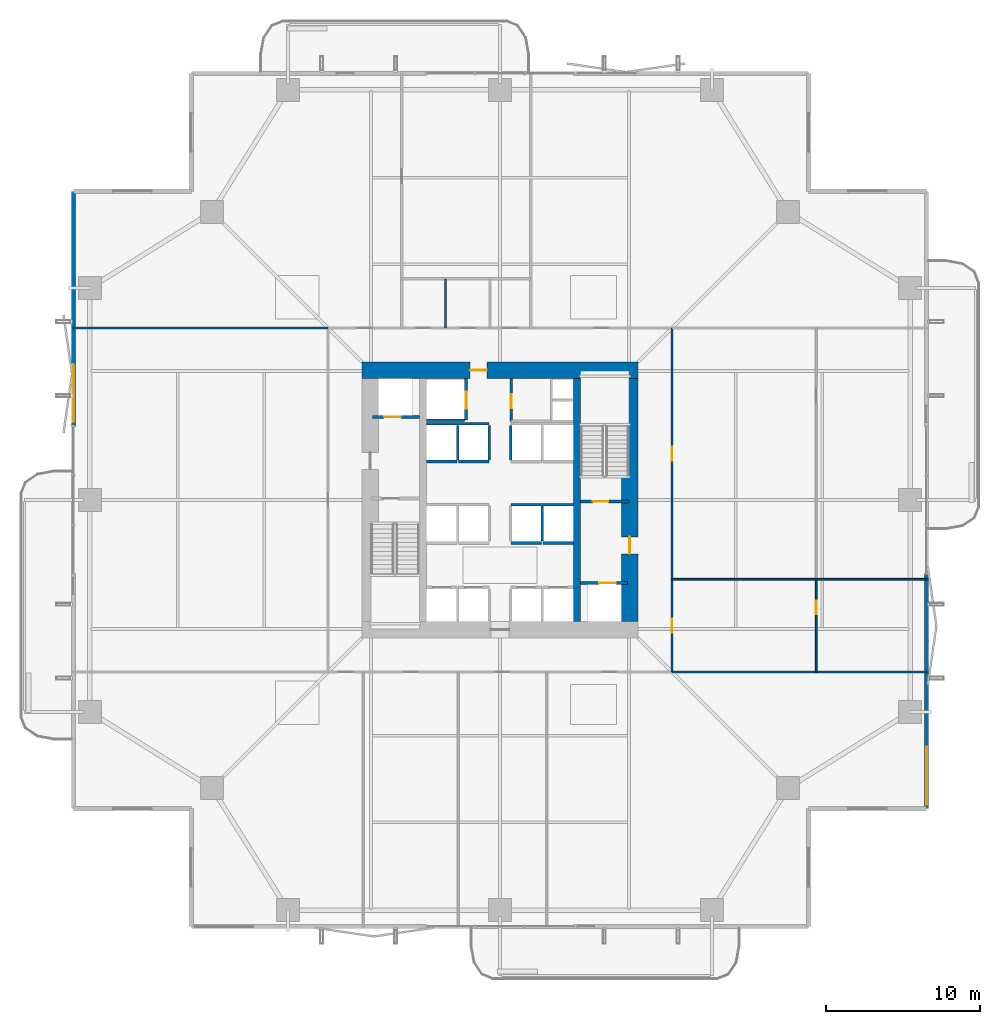
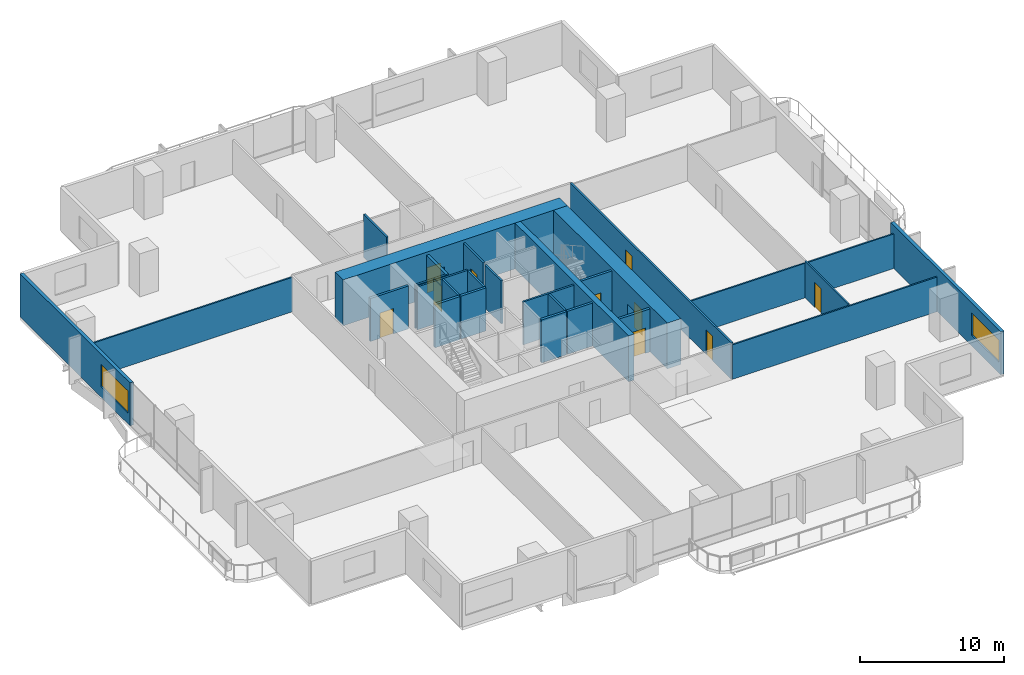
# One storey, part 18 of 24: 27 walls, 10 doors, 2 windows, 12 openings.
"""IFC4 building model written with IfcOpenShell, lengths in metres."""

from ifc_helpers import new_model, si_unit, direction, frame, frame_2d, origin, place, context, subcontext, project, spatial, rectangle, extrude, material, layer, layer_set, type_object, element, fill, save


model = new_model("IFC4")

# Units and contexts
model_context = context("Model", 3, precision=1e-05, world=origin(), true_north=direction((0.0, 1.0)))
body_context = subcontext(model_context, "Body", "Model", "MODEL_VIEW")
ifc_project = project(units=[si_unit("LENGTHUNIT", "METRE"), si_unit("AREAUNIT", "SQUARE_METRE"), si_unit("VOLUMEUNIT", "CUBIC_METRE"), si_unit("PLANEANGLEUNIT", "RADIAN"), si_unit("MASSUNIT", "GRAM", prefix="KILO")], contexts=[model_context])

# Site, building, storey
site_placement = place(None, origin())
site = spatial("IfcSite", under=ifc_project, at=site_placement, CompositionType="ELEMENT")
building_placement = place(site_placement, origin())
building = spatial("IfcBuilding", under=site, at=building_placement, Name="Belovzor Exchange Tower", CompositionType="ELEMENT")
storey_placement = place(building_placement, frame((0.0, 0.0, 96.300048828125)))
storey = spatial("IfcBuildingStorey", under=building, at=storey_placement, Name="L23", CompositionType="ELEMENT", Elevation=96.300048828125)

# Walls
ifc_material_1 = material(Name="Acoustic Plasterboard on Galvanised Studs", Category="gypsum")
ifc_layer_1 = layer(ifc_material_1, 0.1201171875)
ifc_layer_set_1 = layer_set([ifc_layer_1], Name="Acoustic Plasterboard on Galvanised Studs")
wall_type_1 = type_object("IfcWallType", Name="Acoustic Double-Stud Partition Wall 120", PredefinedType="PARTITIONING", material=ifc_layer_set_1)
for number, where, z_axis, x_axis, name in (
    (1, (40.0, 17.60009765625, 0.0), (0.0, 0.0, 1.0), (1.0, 0.0, 0.0), "W-P120 Partition Wall W-L23-END-SE"),
    (2, (1.030029296875, 40.0, 0.0), (0.0, 0.0, 1.0), (1.0, 0.0, 0.0), "W-P120 Partition Wall W-L23-END-NW"),
):
    element("IfcWall", number, at=place(storey_placement, frame(where, z_axis=z_axis, x_axis=x_axis)), inside=storey, type_object=wall_type_1, Name=name, PredefinedType="PARTITIONING", context=body_context, shape_type="SweptSolid", body=[
        extrude(rectangle(XDim=16.570068359375, YDim=0.1201171875, at=frame_2d((8.28515625, 0.0))), origin(), (0.0, 0.0, 1.0), 2.93505859375),
    ])

# Wall, opening, door
wall_1_placement = place(storey_placement, frame((49.387939453125, 17.60009765625, 0.0), z_axis=(0.0, 0.0, 1.0), x_axis=(0.0, 1.0, 0.0)))
wall_1 = element("IfcWall", 3, at=wall_1_placement, inside=storey, type_object=wall_type_1, Name="W-P120 Partition Wall W-L23-EHDIV-0", PredefinedType="PARTITIONING", context=body_context, shape_type="SweptSolid", body=[
    extrude(rectangle(XDim=6.037841796875, YDim=0.1201171875, at=frame_2d((3.01904296875, 0.0))), origin(), (0.0, 0.0, 1.0), 3.0849609375),
])
opening_1_placement = place(wall_1_placement, frame((3.7529296875, 0.0, 0.0)))
opening_1 = element("IfcOpeningElement", 4, at=opening_1_placement, cuts=wall_1, Name="Opening D-INT-090", PredefinedType="OPENING", context=body_context, shape_type="SweptSolid", body=[
    extrude(rectangle(XDim=0.89990234375, YDim=2.10009765625, at=frame_2d((0.449951171875, 1.050048828125))), frame((0.0, 0.070068359375, 0.0), z_axis=(0.0, -1.0, 0.0), x_axis=(1.0, 0.0, 0.0)), (0.0, 0.0, 1.0), 0.14013671875),
])
ifc_material_2 = material(Name="Veneered Hardwood Acoustic Leaf", Category="wood")
door_type_1 = type_object("IfcDoorType", Name="Trading Suite Acoustic Single Door 900x2100", OperationType="NOTDEFINED", PredefinedType="DOOR", material=ifc_material_2)
door_1_placement = place(opening_1_placement, origin())
door_1 = element("IfcDoor", 5, at=door_1_placement, inside=storey, type_object=door_type_1, Name="D-INT-090 Trading Suite Acoustic Single Door 900x2100", OperationType="SINGLE_SWING_RIGHT", OverallHeight=2.10009765625, OverallWidth=0.89990234375, PredefinedType="DOOR", context=body_context, shape_type="SweptSolid", body=[
    extrude(rectangle(XDim=0.89990234375, YDim=2.10009765625, at=frame_2d((0.449951171875, 1.050048828125))), frame((0.0, 0.02490234375, 0.0), z_axis=(0.0, -1.0, 0.0), x_axis=(1.0, 0.0, 0.0)), (0.0, 0.0, 1.0), 0.050048828125),
])
fill(opening_1, door_1)

# Wall
wall_2_placement = place(storey_placement, frame((40.0, 23.637939453125, 0.0), z_axis=(0.0, 0.0, 1.0), x_axis=(1.0, 0.0, 0.0)))
element("IfcWall", 6, at=wall_2_placement, inside=storey, type_object=wall_type_1, Name="W-P120 Partition Wall W-L23-EDIV-1", PredefinedType="PARTITIONING", context=body_context, shape_type="SweptSolid", body=[
    extrude(rectangle(XDim=16.570068359375, YDim=0.1201171875, at=frame_2d((8.28515625, 0.0))), origin(), (0.0, 0.0, 1.0), 2.93505859375),
])

# Wall, opening, door
ifc_material_3 = material(Name="Fire-Rated Gypsum Block and Mineral Wool", Category="gypsum")
ifc_layer_2 = layer(ifc_material_3, 0.14990234375)
ifc_layer_set_2 = layer_set([ifc_layer_2], Name="Fire-Rated Gypsum Block and Mineral Wool")
wall_type_2 = type_object("IfcWallType", Name="Fire-Rated Gypsum Block Corridor Wall 150", PredefinedType="PARTITIONING", material=ifc_layer_set_2)
wall_3_placement = place(storey_placement, frame((29.52490234375, 33.925048828125, 0.0), z_axis=(0.0, 0.0, 1.0), x_axis=(0.0, 1.0, 0.0)))
wall_3 = element("IfcWall", 7, at=wall_3_placement, inside=storey, type_object=wall_type_2, Name="W-P150 Partition Wall W-CRV-L23-W", PredefinedType="PARTITIONING", context=body_context, shape_type="SweptSolid", body=[
    extrude(rectangle(XDim=2.77490234375, YDim=0.14990234375, at=frame_2d((1.387451171875, 0.0))), origin(), (0.0, 0.0, 1.0), 3.64990234375),
])
opening_2_placement = place(wall_3_placement, frame((0.85009765625, 0.0, 0.0)))
opening_2 = element("IfcOpeningElement", 8, at=opening_2_placement, cuts=wall_3, Name="Opening D-FD60-090", PredefinedType="OPENING", context=body_context, shape_type="SweptSolid", body=[
    extrude(rectangle(XDim=0.89990234375, YDim=2.10009765625, at=frame_2d((0.449951171875, 1.050048828125))), frame((0.0, 0.0849609375, 0.0), z_axis=(0.0, -1.0, 0.0), x_axis=(1.0, 0.0, 0.0)), (0.0, 0.0, 1.0), 0.169921875),
])
ifc_material_4 = material(Name="Acoustic Timber Fire Leaf", Category="wood")
door_type_2 = type_object("IfcDoorType", Name="Core Service & Restroom Fire Door 900x2100", OperationType="NOTDEFINED", PredefinedType="DOOR", material=ifc_material_4)
door_2_placement = place(opening_2_placement, origin())
door_2 = element("IfcDoor", 9, at=door_2_placement, inside=storey, type_object=door_type_2, Name="D-FD60-090 Core Service & Restroom Fire Door 900x2100", OperationType="SINGLE_SWING_LEFT", OverallHeight=2.10009765625, OverallWidth=0.89990234375, PredefinedType="DOOR", context=body_context, shape_type="SweptSolid", body=[
    extrude(rectangle(XDim=0.89990234375, YDim=2.10009765625, at=frame_2d((0.449951171875, 1.050048828125))), frame((0.0, 0.02490234375, 0.0), z_axis=(0.0, -1.0, 0.0), x_axis=(1.0, 0.0, 0.0)), (0.0, 0.0, 1.0), 0.050048828125),
])
fill(opening_2, door_2)

# Wall
wall_4_placement = place(storey_placement, frame((25.25, 40.0, 0.0), z_axis=(0.0, 0.0, 1.0), x_axis=(0.0, 1.0, 0.0)))
element("IfcWall", 10, at=wall_4_placement, inside=storey, type_object=wall_type_2, Name="W-P150 Partition Wall W-L23-WCD1", PredefinedType="PARTITIONING", context=body_context, shape_type="SweptSolid", body=[
    extrude(rectangle(XDim=3.199951171875, YDim=0.14990234375, at=frame_2d((1.60009765625, 0.0))), origin(), (0.0, 0.0, 1.0), 3.64990234375),
])

# Wall, openings, doors
wall_5_placement = place(storey_placement, frame((40.0, 17.60009765625, 0.0), z_axis=(0.0, 0.0, 1.0), x_axis=(0.0, 1.0, 0.0)))
wall_5 = element("IfcWall", 11, at=wall_5_placement, inside=storey, type_object=wall_type_2, Name="W-P150 Partition Wall W-L23-CE", PredefinedType="PARTITIONING", context=body_context, shape_type="SweptSolid", body=[
    extrude(rectangle(XDim=22.39990234375, YDim=0.14990234375, at=frame_2d((11.199951171875, 0.0))), origin(), (0.0, 0.0, 1.0), 3.0849609375),
])
opening_3_placement = place(wall_5_placement, frame((2.569091796875, 0.0, 0.0)))
opening_3 = element("IfcOpeningElement", 12, at=opening_3_placement, cuts=wall_5, Name="Opening D-INT-090", PredefinedType="OPENING", context=body_context, shape_type="SweptSolid", body=[
    extrude(rectangle(XDim=0.89990234375, YDim=2.10009765625, at=frame_2d((0.449951171875, 1.050048828125))), frame((0.0, 0.0849609375, 0.0), z_axis=(0.0, -1.0, 0.0), x_axis=(1.0, 0.0, 0.0)), (0.0, 0.0, 1.0), 0.169921875),
])
opening_4_placement = place(wall_5_placement, frame((13.76904296875, 0.0, 0.0)))
opening_4 = element("IfcOpeningElement", 13, at=opening_4_placement, cuts=wall_5, Name="Opening D-INT-090", PredefinedType="OPENING", context=body_context, shape_type="SweptSolid", body=[
    extrude(rectangle(XDim=0.89990234375, YDim=2.10009765625, at=frame_2d((0.449951171875, 1.050048828125))), frame((0.0, 0.0849609375, 0.0), z_axis=(0.0, -1.0, 0.0), x_axis=(1.0, 0.0, 0.0)), (0.0, 0.0, 1.0), 0.169921875),
])
door_3_placement = place(opening_3_placement, origin())
door_3 = element("IfcDoor", 14, at=door_3_placement, inside=storey, type_object=door_type_1, Name="D-INT-090 Trading Suite Acoustic Single Door 900x2100", OperationType="SINGLE_SWING_LEFT", OverallHeight=2.10009765625, OverallWidth=0.89990234375, PredefinedType="DOOR", context=body_context, shape_type="SweptSolid", body=[
    extrude(rectangle(XDim=0.89990234375, YDim=2.10009765625, at=frame_2d((0.449951171875, 1.050048828125))), frame((0.0, 0.02490234375, 0.0), z_axis=(0.0, -1.0, 0.0), x_axis=(1.0, 0.0, 0.0)), (0.0, 0.0, 1.0), 0.050048828125),
])
fill(opening_3, door_3)
door_4_placement = place(opening_4_placement, origin())
door_4 = element("IfcDoor", 15, at=door_4_placement, inside=storey, type_object=door_type_1, Name="D-INT-090 Trading Suite Acoustic Single Door 900x2100", OperationType="SINGLE_SWING_RIGHT", OverallHeight=2.10009765625, OverallWidth=0.89990234375, PredefinedType="DOOR", context=body_context, shape_type="SweptSolid", body=[
    extrude(rectangle(XDim=0.89990234375, YDim=2.10009765625, at=frame_2d((0.449951171875, 1.050048828125))), frame((0.0, 0.02490234375, 0.0), z_axis=(0.0, -1.0, 0.0), x_axis=(1.0, 0.0, 0.0)), (0.0, 0.0, 1.0), 0.050048828125),
])
fill(opening_4, door_4)

# Wall, opening, window
ifc_material_5 = material(Name="Precast concrete C40/50", Category="concrete")
ifc_layer_3 = layer(ifc_material_5, 0.260009765625)
ifc_layer_set_3 = layer_set([ifc_layer_3], Name="Precast concrete C40/50")
wall_type_3 = type_object("IfcWallType", Name="Precast Concrete Perimeter Loggia Frame Wall 260", PredefinedType="SOLIDWALL", material=ifc_layer_set_3)
wall_6_placement = place(storey_placement, frame((1.030029296875, 33.60009765625, 0.0), z_axis=(0.0, 0.0, 1.0), x_axis=(0.0, 1.0, 0.0)))
wall_6 = element("IfcWall", 16, at=wall_6_placement, inside=storey, type_object=wall_type_3, Name="W-EXT260 Precast Concrete Perimeter Loggia Frame Wall 260 L23", PredefinedType="SOLIDWALL", context=body_context, shape_type="SweptSolid", body=[
    extrude(rectangle(XDim=15.2998046875, YDim=0.260009765625, at=frame_2d((7.64990234375, 0.0))), origin(), (0.0, 0.0, 1.0), 3.64990234375),
])
opening_5_placement = place(wall_6_placement, frame((0.25, 0.0, 0.89990234375)))
opening_5 = element("IfcOpeningElement", 17, at=opening_5_placement, cuts=wall_6, Name="Opening WN-RIB380", PredefinedType="OPENING", context=body_context, shape_type="SweptSolid", body=[
    extrude(rectangle(XDim=3.800048828125, YDim=1.89990234375, at=frame_2d((1.89990234375, 0.949951171875))), frame((0.0, 0.139892578125, 0.0), z_axis=(0.0, -1.0, 0.0), x_axis=(1.0, 0.0, 0.0)), (0.0, 0.0, 1.0), 0.280029296875),
])
ifc_material_6 = material(Name="Thermally Broken Aluminium and Triple Glazing", Category="aluminium")
window_type = type_object("IfcWindowType", Name="Streamline Moderne Horizontal Ribbon Window 3800x1900", PartitioningType="SINGLE_PANEL", PredefinedType="WINDOW", material=ifc_material_6)
window_1_placement = place(opening_5_placement, origin())
window_1 = element("IfcWindow", 18, at=window_1_placement, inside=storey, type_object=window_type, Name="WN-RIB380 Streamline Moderne Horizontal Ribbon Window 3800x1900", OverallHeight=1.89990234375, OverallWidth=3.800048828125, PartitioningType="SINGLE_PANEL", PredefinedType="WINDOW", context=body_context, shape_type="SweptSolid", body=[
    extrude(rectangle(XDim=3.800048828125, YDim=1.89990234375, at=frame_2d((1.89990234375, 0.949951171875))), frame((0.0, 0.030029296875, 0.0), z_axis=(0.0, -1.0, 0.0), x_axis=(1.0, 0.0, 0.0)), (0.0, 0.0, 1.0), 0.06005859375),
])
fill(opening_5, window_1)

wall_7_placement = place(storey_placement, frame((56.570068359375, 24.0, 0.0), z_axis=(0.0, 0.0, 1.0), x_axis=(0.0, -1.0, 0.0)))
wall_7 = element("IfcWall", 19, at=wall_7_placement, inside=storey, type_object=wall_type_3, Name="W-EXT260 Precast Concrete Perimeter Loggia Frame Wall 260 L23", PredefinedType="SOLIDWALL", context=body_context, shape_type="SweptSolid", body=[
    extrude(rectangle(XDim=15.300048828125, YDim=0.260009765625, at=frame_2d((7.64990234375, 0.0))), origin(), (0.0, 0.0, 1.0), 3.64990234375),
])
opening_6_placement = place(wall_7_placement, frame((11.25, 0.0, 0.89990234375)))
opening_6 = element("IfcOpeningElement", 20, at=opening_6_placement, cuts=wall_7, Name="Opening WN-RIB380", PredefinedType="OPENING", context=body_context, shape_type="SweptSolid", body=[
    extrude(rectangle(XDim=3.800048828125, YDim=1.89990234375, at=frame_2d((1.89990234375, 0.949951171875))), frame((0.0, 0.139892578125, 0.0), z_axis=(0.0, -1.0, 0.0), x_axis=(1.0, 0.0, 0.0)), (0.0, 0.0, 1.0), 0.280029296875),
])
window_2_placement = place(opening_6_placement, origin())
window_2 = element("IfcWindow", 21, at=window_2_placement, inside=storey, type_object=window_type, Name="WN-RIB380 Streamline Moderne Horizontal Ribbon Window 3800x1900", OverallHeight=1.89990234375, OverallWidth=3.800048828125, PartitioningType="SINGLE_PANEL", PredefinedType="WINDOW", context=body_context, shape_type="SweptSolid", body=[
    extrude(rectangle(XDim=3.800048828125, YDim=1.89990234375, at=frame_2d((1.89990234375, 0.949951171875))), frame((0.0, 0.030029296875, 0.0), z_axis=(0.0, -1.0, 0.0), x_axis=(1.0, 0.0, 0.0)), (0.0, 0.0, 1.0), 0.06005859375),
])
fill(opening_6, window_2)

# Walls
ifc_material_7 = material(Name="Concrete C50/60", Category="concrete")
ifc_layer_4 = layer(ifc_material_7, 0.449951171875)
ifc_layer_set_4 = layer_set([ifc_layer_4], Name="Concrete C50/60")
wall_type_4 = type_object("IfcWallType", Name="Reinforced Concrete Core Internal Web Wall 450", PredefinedType="SHEAR", material=ifc_layer_set_4)
wall_8_placement = place(storey_placement, frame((33.824951171875, 20.89990234375, 0.0), z_axis=(0.0, 0.0, 1.0), x_axis=(0.0, 1.0, 0.0)))
element("IfcWall", 22, at=wall_8_placement, inside=storey, type_object=wall_type_4, Name="CW-W045 Core Internal Web Wall L23 ER", PredefinedType="SHEAR", context=body_context, shape_type="SweptSolid", body=[
    extrude(rectangle(XDim=15.800048828125, YDim=0.449951171875, at=frame_2d((7.89990234375, 0.0))), origin(), (0.0, 0.0, 1.0), 3.89990234375),
])
ifc_material_8 = material(Name="Concrete C50/60", Category="concrete")
ifc_layer_5 = layer(ifc_material_8, 0.14990234375)
ifc_layer_set_5 = layer_set([ifc_layer_5], Name="Concrete C50/60")
wall_type_5 = type_object("IfcWallType", Name="Reinforced Concrete Core Riser Shear Wall 150", PredefinedType="SHEAR", material=ifc_layer_set_5)
wall_9_placement = place(storey_placement, frame((24.0, 34.0, 0.0), z_axis=(0.0, 0.0, 1.0), x_axis=(1.0, 0.0, 0.0)))
element("IfcWall", 23, at=wall_9_placement, inside=storey, type_object=wall_type_5, Name="W-C150S Core Shaft Wall W-SH-L23-SL-01S", PredefinedType="SHEAR", context=body_context, shape_type="SweptSolid", body=[
    extrude(rectangle(XDim=2.47998046875, YDim=0.14990234375, at=frame_2d((1.239990234375, 0.0))), origin(), (0.0, 0.0, 1.0), 3.64990234375),
])
wall_10_placement = place(storey_placement, frame((29.5, 28.5, 0.0), z_axis=(0.0, 0.0, 1.0), x_axis=(1.0, 0.0, 0.0)))
element("IfcWall", 24, at=wall_10_placement, inside=storey, type_object=wall_type_5, Name="W-C150S Core Shaft Wall W-SHB-L23-PLM-NE", PredefinedType="SHEAR", context=body_context, shape_type="SweptSolid", body=[
    extrude(rectangle(XDim=4.080078125, YDim=0.14990234375, at=frame_2d((2.0400390625, 0.0))), origin(), (0.0, 0.0, 1.0), 3.64990234375),
])
wall_11_placement = place(storey_placement, frame((31.550048828125, 26.1201171875, 0.0), z_axis=(0.0, 0.0, 1.0), x_axis=(0.0, 1.0, 0.0)))
element("IfcWall", 25, at=wall_11_placement, inside=storey, type_object=wall_type_5, Name="W-C150S Core Shaft Wall W-SHD-L23-PLM-4", PredefinedType="SHEAR", context=body_context, shape_type="SweptSolid", body=[
    extrude(rectangle(XDim=2.27978515625, YDim=0.14990234375, at=frame_2d((1.139892578125, 0.0))), origin(), (0.0, 0.0, 1.0), 3.64990234375),
])
wall_12_placement = place(storey_placement, frame((24.02001953125, 33.760009765625, 0.0), z_axis=(0.0, 0.0, 1.0), x_axis=(1.0, 0.0, 0.0)))
element("IfcWall", 26, at=wall_12_placement, inside=storey, type_object=wall_type_5, Name="W-C150S Core Shaft Wall W-SHB-L23-PLH-NW", PredefinedType="SHEAR", context=body_context, shape_type="SweptSolid", body=[
    extrude(rectangle(XDim=4.080078125, YDim=0.14990234375, at=frame_2d((2.0400390625, 0.0))), origin(), (0.0, 0.0, 1.0), 3.64990234375),
])
for number, where, z_axis, x_axis, name in (
    (27, (26.050048828125, 31.419921875, 0.0), (0.0, 0.0, 1.0), (0.0, 1.0, 0.0), "W-C150S Core Shaft Wall W-SHD-L23-PLH-1"),
    (28, (28.10009765625, 31.419921875, 0.0), (0.0, 0.0, 1.0), (0.0, 1.0, 0.0), "W-C150S Core Shaft Wall W-SHD-L23-PLH-2"),
    (29, (29.5, 31.419921875, 0.0), (0.0, 0.0, 1.0), (0.0, 1.0, 0.0), "W-C150S Core Shaft Wall W-SHD-L23-PLH-3"),
):
    element("IfcWall", number, at=place(storey_placement, frame(where, z_axis=z_axis, x_axis=x_axis)), inside=storey, type_object=wall_type_5, Name=name, PredefinedType="SHEAR", context=body_context, shape_type="SweptSolid", body=[
        extrude(rectangle(XDim=2.239990234375, YDim=0.14990234375, at=frame_2d((1.1201171875, 0.0))), origin(), (0.0, 0.0, 1.0), 3.64990234375),
    ])

# Wall, opening, door
ifc_material_9 = material(Name="Concrete C50/60", Category="concrete")
ifc_layer_6 = layer(ifc_material_9, 0.199951171875)
ifc_layer_set_6 = layer_set([ifc_layer_6], Name="Concrete C50/60")
wall_type_6 = type_object("IfcWallType", Name="Reinforced Concrete Core Shaft Shear Wall 200", PredefinedType="SHEAR", material=ifc_layer_set_6)
wall_13_placement = place(storey_placement, frame((34.050048828125, 28.699951171875, 0.0), z_axis=(0.0, 0.0, 1.0), x_axis=(1.0, 0.0, 0.0)))
wall_13 = element("IfcWall", 30, at=wall_13_placement, inside=storey, type_object=wall_type_6, Name="W-C200S Core Shaft Wall W-CORE-L23-FFLE2", PredefinedType="SHEAR", context=body_context, shape_type="SweptSolid", body=[
    extrude(rectangle(XDim=3.14990234375, YDim=0.199951171875, at=frame_2d((1.574951171875, 0.0))), origin(), (0.0, 0.0, 1.0), 3.64990234375),
])
opening_7_placement = place(wall_13_placement, frame((0.800048828125, 0.0, 0.0)))
opening_7 = element("IfcOpeningElement", 31, at=opening_7_placement, cuts=wall_13, Name="Opening D-FD90-100", PredefinedType="OPENING", context=body_context, shape_type="SweptSolid", body=[
    extrude(rectangle(XDim=1.0, YDim=2.10009765625, at=frame_2d((0.5, 1.050048828125))), frame((0.0, 0.10986328125, 0.0), z_axis=(0.0, -1.0, 0.0), x_axis=(1.0, 0.0, 0.0)), (0.0, 0.0, 1.0), 0.219970703125),
])
ifc_material_10 = material(Name="Fire-Rated Galvanised Steel Leaf", Category="steel")
door_type_3 = type_object("IfcDoorType", Name="Protected Stairwell Single Fire Door 1000x2100", OperationType="NOTDEFINED", PredefinedType="DOOR", material=ifc_material_10)
door_5_placement = place(opening_7_placement, origin())
door_5 = element("IfcDoor", 32, at=door_5_placement, inside=storey, type_object=door_type_3, Name="D-FD90-100 Protected Stairwell Single Fire Door 1000x2100", OperationType="SINGLE_SWING_LEFT", OverallHeight=2.10009765625, OverallWidth=1.0, PredefinedType="DOOR", context=body_context, shape_type="SweptSolid", body=[
    extrude(rectangle(XDim=1.0, YDim=2.10009765625, at=frame_2d((0.5, 1.050048828125))), frame((0.0, 0.02490234375, 0.0), z_axis=(0.0, -1.0, 0.0), x_axis=(1.0, 0.0, 0.0)), (0.0, 0.0, 1.0), 0.050048828125),
])
fill(opening_7, door_5)

wall_14_placement = place(storey_placement, frame((20.5, 34.199951171875, 0.0), z_axis=(0.0, 0.0, 1.0), x_axis=(1.0, 0.0, 0.0)))
wall_14 = element("IfcWall", 33, at=wall_14_placement, inside=storey, type_object=wall_type_6, Name="W-C200S Core Shaft Wall W-SH-L23-FFL-01", PredefinedType="SHEAR", context=body_context, shape_type="SweptSolid", body=[
    extrude(rectangle(XDim=3.050048828125, YDim=0.199951171875, at=frame_2d((1.52490234375, 0.0))), origin(), (0.0, 0.0, 1.0), 3.64990234375),
])
opening_8_placement = place(wall_14_placement, frame((0.75, 0.0, 0.0)))
opening_8 = element("IfcOpeningElement", 34, at=opening_8_placement, cuts=wall_14, Name="Opening LD-110", PredefinedType="OPENING", context=body_context, shape_type="SweptSolid", body=[
    extrude(rectangle(XDim=1.10009765625, YDim=2.14990234375, at=frame_2d((0.550048828125, 1.074951171875))), frame((0.0, 0.10986328125, 0.0), z_axis=(0.0, -1.0, 0.0), x_axis=(1.0, 0.0, 0.0)), (0.0, 0.0, 1.0), 0.219970703125),
])
ifc_material_11 = material(Name="Stainless Steel Grade 304", Category="steel")
door_type_4 = type_object("IfcDoorType", Name="Automated Stainless Steel Lift Landing Door 1100x2150", OperationType="SLIDING_TO_RIGHT", PredefinedType="DOOR", material=ifc_material_11)
door_6_placement = place(opening_8_placement, origin())
door_6 = element("IfcDoor", 35, at=door_6_placement, inside=storey, type_object=door_type_4, Name="LD-110 Automated Stainless Steel Lift Landing Door 1100x2150", OperationType="SLIDING_TO_RIGHT", OverallHeight=2.14990234375, OverallWidth=1.10009765625, PredefinedType="DOOR", context=body_context, shape_type="SweptSolid", body=[
    extrude(rectangle(XDim=1.10009765625, YDim=2.14990234375, at=frame_2d((0.550048828125, 1.074951171875))), frame((0.0, 0.02490234375, 0.0), z_axis=(0.0, -1.0, 0.0), x_axis=(1.0, 0.0, 0.0)), (0.0, 0.0, 1.0), 0.050048828125),
])
fill(opening_8, door_6)

wall_15_placement = place(storey_placement, frame((34.050048828125, 23.39990234375, 0.0), z_axis=(0.0, 0.0, 1.0), x_axis=(1.0, 0.0, 0.0)))
wall_15 = element("IfcWall", 36, at=wall_15_placement, inside=storey, type_object=wall_type_6, Name="W-C200S Core Shaft Wall W-SH-L23-FFL-02", PredefinedType="SHEAR", context=body_context, shape_type="SweptSolid", body=[
    extrude(rectangle(XDim=3.050048828125, YDim=0.199951171875, at=frame_2d((1.52490234375, 0.0))), origin(), (0.0, 0.0, 1.0), 3.64990234375),
])
opening_9_placement = place(wall_15_placement, frame((1.199951171875, 0.0, 0.0)))
opening_9 = element("IfcOpeningElement", 37, at=opening_9_placement, cuts=wall_15, Name="Opening LD-110", PredefinedType="OPENING", context=body_context, shape_type="SweptSolid", body=[
    extrude(rectangle(XDim=1.10009765625, YDim=2.14990234375, at=frame_2d((0.550048828125, 1.074951171875))), frame((0.0, 0.10986328125, 0.0), z_axis=(0.0, -1.0, 0.0), x_axis=(1.0, 0.0, 0.0)), (0.0, 0.0, 1.0), 0.219970703125),
])
door_7_placement = place(opening_9_placement, origin())
door_7 = element("IfcDoor", 38, at=door_7_placement, inside=storey, type_object=door_type_4, Name="LD-110 Automated Stainless Steel Lift Landing Door 1100x2150", OperationType="SLIDING_TO_RIGHT", OverallHeight=2.14990234375, OverallWidth=1.10009765625, PredefinedType="DOOR", context=body_context, shape_type="SweptSolid", body=[
    extrude(rectangle(XDim=1.10009765625, YDim=2.14990234375, at=frame_2d((0.550048828125, 1.074951171875))), frame((0.0, 0.02490234375, 0.0), z_axis=(0.0, -1.0, 0.0), x_axis=(1.0, 0.0, 0.0)), (0.0, 0.0, 1.0), 0.050048828125),
])
fill(opening_9, door_7)

wall_16_placement = place(storey_placement, frame((26.60009765625, 34.0, 0.0), z_axis=(0.0, 0.0, 1.0), x_axis=(0.0, 1.0, 0.0)))
wall_16 = element("IfcWall", 39, at=wall_16_placement, inside=storey, type_object=wall_type_6, Name="W-C200S Core Shaft Wall W-SH-L23-SL-01", PredefinedType="SHEAR", context=body_context, shape_type="SweptSolid", body=[
    extrude(rectangle(XDim=2.699951171875, YDim=0.199951171875, at=frame_2d((1.35009765625, 0.0))), origin(), (0.0, 0.0, 1.0), 3.64990234375),
])
opening_10_placement = place(wall_16_placement, frame((0.75, 0.0, 0.0)))
opening_10 = element("IfcOpeningElement", 40, at=opening_10_placement, cuts=wall_16, Name="Opening LD-110", PredefinedType="OPENING", context=body_context, shape_type="SweptSolid", body=[
    extrude(rectangle(XDim=1.10009765625, YDim=2.14990234375, at=frame_2d((0.550048828125, 1.074951171875))), frame((0.0, 0.10986328125, 0.0), z_axis=(0.0, -1.0, 0.0), x_axis=(1.0, 0.0, 0.0)), (0.0, 0.0, 1.0), 0.219970703125),
])
door_8_placement = place(opening_10_placement, origin())
door_8 = element("IfcDoor", 41, at=door_8_placement, inside=storey, type_object=door_type_4, Name="LD-110 Automated Stainless Steel Lift Landing Door 1100x2150", OperationType="SLIDING_TO_RIGHT", OverallHeight=2.14990234375, OverallWidth=1.10009765625, PredefinedType="DOOR", context=body_context, shape_type="SweptSolid", body=[
    extrude(rectangle(XDim=1.10009765625, YDim=2.14990234375, at=frame_2d((0.550048828125, 1.074951171875))), frame((0.0, 0.02490234375, 0.0), z_axis=(0.0, -1.0, 0.0), x_axis=(1.0, 0.0, 0.0)), (0.0, 0.0, 1.0), 0.050048828125),
])
fill(opening_10, door_8)

# Walls
for number, where, z_axis, x_axis, name in (
    (42, (29.5, 26.0, 0.0), (0.0, 0.0, 1.0), (1.0, 0.0, 0.0), "W-C200S Core Shaft Wall W-SH-L23-PL-M3"),
    (43, (31.60009765625, 26.0, 0.0), (0.0, 0.0, 1.0), (1.0, 0.0, 0.0), "W-C200S Core Shaft Wall W-SH-L23-PL-M4"),
    (44, (24.0, 31.300048828125, 0.0), (0.0, 0.0, 1.0), (1.0, 0.0, 0.0), "W-C200S Core Shaft Wall W-SH-L23-PL-H1"),
    (45, (26.10009765625, 31.300048828125, 0.0), (0.0, 0.0, 1.0), (1.0, 0.0, 0.0), "W-C200S Core Shaft Wall W-SH-L23-PL-H2"),
):
    element("IfcWall", number, at=place(storey_placement, frame(where, z_axis=z_axis, x_axis=x_axis)), inside=storey, type_object=wall_type_6, Name=name, PredefinedType="SHEAR", context=body_context, shape_type="SweptSolid", body=[
        extrude(rectangle(XDim=2.0, YDim=0.199951171875, at=frame_2d((1.0, 0.0))), origin(), (0.0, 0.0, 1.0), 3.64990234375),
    ])

# Wall, opening, door
ifc_material_12 = material(Name="Concrete C60/75", Category="concrete")
ifc_layer_7 = layer(ifc_material_12, 1.10009765625)
ifc_layer_set_7 = layer_set([ifc_layer_7], Name="Concrete C60/75")
wall_type_7 = type_object("IfcWallType", Name="Reinforced Concrete Core Shear Wall 1100", PredefinedType="SHEAR", material=ifc_layer_set_7)
wall_17_placement = place(storey_placement, frame((19.800048828125, 37.25, 0.0), z_axis=(0.0, 0.0, 1.0), x_axis=(1.0, 0.0, 0.0)))
wall_17 = element("IfcWall", 46, at=wall_17_placement, inside=storey, type_object=wall_type_7, Name="CW-S110 Core Shear Wall L23 N", PredefinedType="SHEAR", context=body_context, shape_type="SweptSolid", body=[
    extrude(rectangle(XDim=18.0, YDim=1.10009765625, at=frame_2d((9.0, 0.0))), origin(), (0.0, 0.0, 1.0), 3.89990234375),
])
opening_11_placement = place(wall_17_placement, frame((7.050048828125, 0.0, 0.0)))
opening_11 = element("IfcOpeningElement", 47, at=opening_11_placement, cuts=wall_17, Name="Opening D-FD90-110", PredefinedType="OPENING", context=body_context, shape_type="SweptSolid", body=[
    extrude(rectangle(XDim=1.10009765625, YDim=2.14990234375, at=frame_2d((0.550048828125, 1.074951171875))), frame((0.0, 0.56005859375, 0.0), z_axis=(0.0, -1.0, 0.0), x_axis=(1.0, 0.0, 0.0)), (0.0, 0.0, 1.0), 1.1201171875),
])
ifc_material_13 = material(Name="Fire-Rated Galvanised Steel Leaf", Category="steel")
door_type_5 = type_object("IfcDoorType", Name="Protected Escape Vestibule Fire Door 1100x2150", OperationType="NOTDEFINED", PredefinedType="DOOR", material=ifc_material_13)
door_9_placement = place(opening_11_placement, origin())
door_9 = element("IfcDoor", 48, at=door_9_placement, inside=storey, type_object=door_type_5, Name="D-FD90-110 Protected Escape Vestibule Fire Door 1100x2150", OperationType="SINGLE_SWING_RIGHT", OverallHeight=2.14990234375, OverallWidth=1.10009765625, PredefinedType="DOOR", context=body_context, shape_type="SweptSolid", body=[
    extrude(rectangle(XDim=1.10009765625, YDim=2.14990234375, at=frame_2d((0.550048828125, 1.074951171875))), frame((0.0, 0.02490234375, 0.0), z_axis=(0.0, -1.0, 0.0), x_axis=(1.0, 0.0, 0.0)), (0.0, 0.0, 1.0), 0.050048828125),
])
fill(opening_11, door_9)

wall_18_placement = place(storey_placement, frame((37.25, 20.89990234375, 0.0), z_axis=(0.0, 0.0, 1.0), x_axis=(0.0, 1.0, 0.0)))
wall_18 = element("IfcWall", 49, at=wall_18_placement, inside=storey, type_object=wall_type_7, Name="CW-S110 Core Shear Wall L23 E", PredefinedType="SHEAR", context=body_context, shape_type="SweptSolid", body=[
    extrude(rectangle(XDim=15.800048828125, YDim=1.10009765625, at=frame_2d((7.89990234375, 0.0))), origin(), (0.0, 0.0, 1.0), 3.89990234375),
])
opening_12_placement = place(wall_18_placement, frame((4.39990234375, 0.0, 0.0)))
opening_12 = element("IfcOpeningElement", 50, at=opening_12_placement, cuts=wall_18, Name="Opening D-FD90-110", PredefinedType="OPENING", context=body_context, shape_type="SweptSolid", body=[
    extrude(rectangle(XDim=1.10009765625, YDim=2.14990234375, at=frame_2d((0.550048828125, 1.074951171875))), frame((0.0, 0.56005859375, 0.0), z_axis=(0.0, -1.0, 0.0), x_axis=(1.0, 0.0, 0.0)), (0.0, 0.0, 1.0), 1.1201171875),
])
door_10_placement = place(opening_12_placement, origin())
door_10 = element("IfcDoor", 51, at=door_10_placement, inside=storey, type_object=door_type_5, Name="D-FD90-110 Protected Escape Vestibule Fire Door 1100x2150", OperationType="SINGLE_SWING_RIGHT", OverallHeight=2.14990234375, OverallWidth=1.10009765625, PredefinedType="DOOR", context=body_context, shape_type="SweptSolid", body=[
    extrude(rectangle(XDim=1.10009765625, YDim=2.14990234375, at=frame_2d((0.550048828125, 1.074951171875))), frame((0.0, 0.02490234375, 0.0), z_axis=(0.0, -1.0, 0.0), x_axis=(1.0, 0.0, 0.0)), (0.0, 0.0, 1.0), 0.050048828125),
])
fill(opening_12, door_10)

save(model, "model.ifc")
